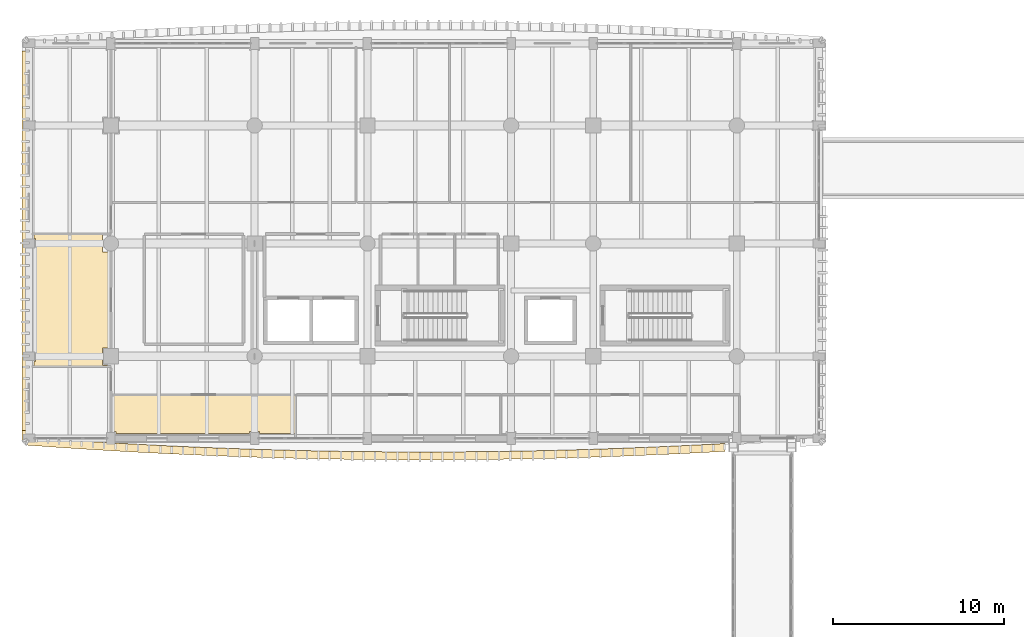
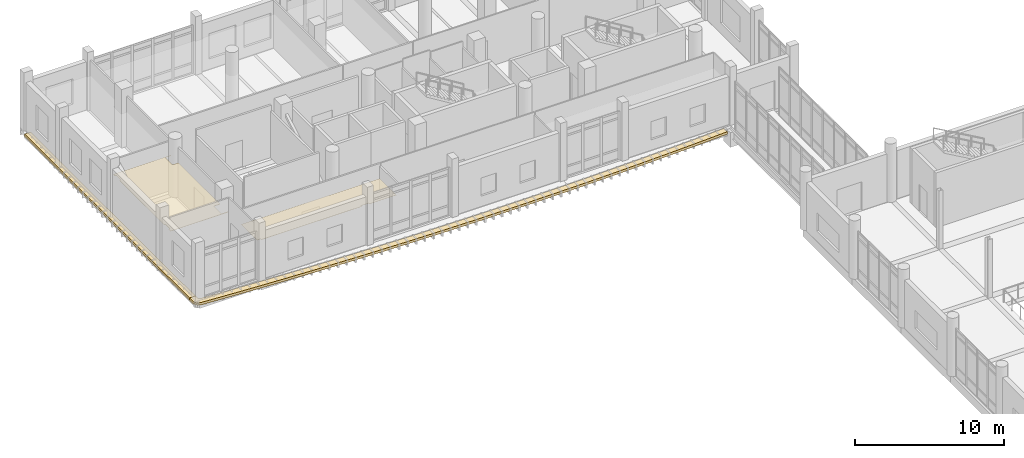
# One storey, part 85 of 101: 4 coverings.
"""IFC4 building model written with IfcOpenShell, lengths in metres."""

from ifc_helpers import new_model, si_unit, direction, frame, origin, place, context, subcontext, project, spatial, polyline, outline, extrude, material, layer, layer_set, type_object, element, save


model = new_model("IFC4")

# Units and contexts
model_context = context("Model", 3, precision=1e-05, world=origin(), true_north=direction((0.0, 1.0)))
body_context = subcontext(model_context, "Body", "Model", "MODEL_VIEW")
ifc_project = project(units=[si_unit("LENGTHUNIT", "METRE"), si_unit("AREAUNIT", "SQUARE_METRE"), si_unit("VOLUMEUNIT", "CUBIC_METRE"), si_unit("PLANEANGLEUNIT", "RADIAN"), si_unit("MASSUNIT", "GRAM", prefix="KILO")], contexts=[model_context])

# Site, building, storey
site_placement = place(None, origin())
site = spatial("IfcSite", under=ifc_project, at=site_placement, CompositionType="ELEMENT")
building_placement = place(site_placement, origin())
building = spatial("IfcBuilding", under=site, at=building_placement, Name="Dornvale Research Institute", CompositionType="ELEMENT")
storey_placement = place(building_placement, frame((0.0, 0.0, 10.199951171875)))
storey = spatial("IfcBuildingStorey", under=building, at=storey_placement, Name="L02", CompositionType="ELEMENT", Elevation=10.199951171875)

# Coverings
ifc_material_1 = material(Name="Mineral-Fibre Acoustic Lay-In Ceiling Tile System")
ifc_layer_1 = layer(ifc_material_1, 0.02001953125)
ifc_layer_set_1 = layer_set([ifc_layer_1], Name="Mineral-Fibre Acoustic Lay-In Ceiling Tile System")
covering_type_1 = type_object("IfcCoveringType", Name="Covering_Acoustic_Ceiling", PredefinedType="CEILING", material=ifc_layer_set_1)
covering_1_placement = place(storey_placement, frame((0.0, 0.0, 2.85009765625)))
element("IfcCovering", 1, at=covering_1_placement, inside=storey, type_object=covering_type_1, Name="L02 Optical Storage Calibration Room L02 suspended ceiling", PredefinedType="CEILING", context=body_context, shape_type="SweptSolid", body=[
    extrude(outline(polyline([(0.300048828125, 104.10009765625), (0.300048828125, 110.10009765625), (0.39990234375, 110.10009765625), (0.39990234375, 110.699951171875), (0.300048828125, 110.699951171875), (0.300048828125, 110.929931640625), (4.780029296875, 110.929931640625), (4.780029296875, 110.89990234375), (4.300048828125, 110.89990234375), (4.300048828125, 109.89990234375), (4.780029296875, 109.89990234375), (4.780029296875, 104.300048828125), (4.300048828125, 104.300048828125), (4.300048828125, 103.300048828125), (4.780029296875, 103.300048828125), (4.780029296875, 103.219970703125), (0.300048828125, 103.219970703125), (0.300048828125, 103.5), (0.39990234375, 103.5), (0.39990234375, 104.10009765625), (0.300048828125, 104.10009765625)])), origin(), (0.0, 0.0, 1.0), 0.02001953125),
])
covering_2_placement = place(storey_placement, frame((0.0, 0.0, 2.85009765625)))
element("IfcCovering", 2, at=covering_2_placement, inside=storey, type_object=covering_type_1, Name="L02 Biostatistics Dry Laboratory suspended ceiling", PredefinedType="CEILING", context=body_context, shape_type="SweptSolid", body=[
    extrude(outline(polyline([(5.10009765625, 99.300048828125), (5.10009765625, 99.39990234375), (4.820068359375, 99.39990234375), (4.820068359375, 101.530029296875), (15.580078125, 101.530029296875), (15.580078125, 99.300048828125), (13.5, 99.300048828125), (13.5, 99.39990234375), (12.89990234375, 99.39990234375), (12.89990234375, 99.300048828125), (5.10009765625, 99.300048828125)])), origin(), (0.0, 0.0, 1.0), 0.02001953125),
])
ifc_material_2 = material(Name="Polychrome Glazed Terracotta Visor Rib Ceramic", Category="masonry")
ifc_layer_2 = layer(ifc_material_2, 0.199951171875)
ifc_layer_set_2 = layer_set([ifc_layer_2], Name="Polychrome Glazed Terracotta Visor Rib Ceramic")
covering_type_2 = type_object("IfcCoveringType", Name="Covering_VisorBrim_Shelf", PredefinedType="CLADDING", material=ifc_layer_set_2)
covering_3_placement = place(storey_placement, frame((0.0, 0.0, -0.280029296875)))
element("IfcCovering", 3, at=covering_3_placement, inside=storey, type_object=covering_type_2, Name="L02 V5 canted bowed-brim visor hood #7", PredefinedType="CLADDING", context=body_context, shape_type="SweptSolid", body=[
    extrude(outline(polyline([(0.06005859375, 99.055908203125), (1.654052734375, 98.94287109375), (3.3037109375, 98.83447265625), (4.95361328125, 98.734619140625), (6.60302734375, 98.6435546875), (8.252685546875, 98.561279296875), (9.902587890625, 98.487548828125), (11.55224609375, 98.422607421875), (13.201904296875, 98.3662109375), (14.8515625, 98.318359375), (16.501220703125, 98.279296875), (18.15087890625, 98.2490234375), (19.800537109375, 98.227294921875), (21.4501953125, 98.21435546875), (23.10009765625, 98.2099609375), (24.749755859375, 98.21435546875), (26.3994140625, 98.227294921875), (28.049072265625, 98.2490234375), (29.69873046875, 98.279296875), (31.348388671875, 98.318359375), (32.998046875, 98.3662109375), (34.647705078125, 98.422607421875), (36.297607421875, 98.487548828125), (37.947265625, 98.561279296875), (39.596923828125, 98.6435546875), (40.699951171875, 98.70458984375), (40.699951171875, 98.240478515625), (39.622314453125, 98.18115234375), (39.6201171875, 98.180908203125), (37.97021484375, 98.0986328125), (37.968017578125, 98.098388671875), (36.318115234375, 98.02490234375), (36.31591796875, 98.024658203125), (34.666015625, 97.959716796875), (34.663818359375, 97.95947265625), (33.013916015625, 97.903076171875), (33.01171875, 97.903076171875), (31.36181640625, 97.85546875), (31.359619140625, 97.855224609375), (29.70947265625, 97.81640625), (29.70751953125, 97.81640625), (28.057373046875, 97.785888671875), (28.055419921875, 97.785888671875), (26.4052734375, 97.76416015625), (26.4033203125, 97.76416015625), (24.753173828125, 97.751220703125), (24.751220703125, 97.751220703125), (23.10107421875, 97.746826171875), (23.098876953125, 97.746826171875), (21.448974609375, 97.751220703125), (21.44677734375, 97.751220703125), (19.796875, 97.76416015625), (19.794677734375, 97.76416015625), (18.144775390625, 97.785888671875), (18.142578125, 97.785888671875), (16.49267578125, 97.81640625), (16.490478515625, 97.81640625), (14.840576171875, 97.855224609375), (14.83837890625, 97.85546875), (13.188232421875, 97.903076171875), (13.186279296875, 97.903076171875), (11.5361328125, 97.95947265625), (11.5341796875, 97.959716796875), (9.884033203125, 98.024658203125), (9.882080078125, 98.02490234375), (8.23193359375, 98.098388671875), (8.22998046875, 98.0986328125), (6.579833984375, 98.180908203125), (6.577880859375, 98.18115234375), (4.927734375, 98.272216796875), (4.92578125, 98.272216796875), (3.275634765625, 98.3720703125), (3.273681640625, 98.372314453125), (1.62353515625, 98.480712890625), (1.62158203125, 98.480712890625), (-0.028564453125, 98.597900390625), (-0.173828125, 98.63623046875), (-0.294921875, 98.72509765625), (-0.375244140625, 98.852294921875), (-0.4033203125, 99.0), (-0.4033203125, 99.449951171875), (0.06005859375, 99.449951171875), (0.06005859375, 99.055908203125)])), origin(), (0.0, 0.0, 1.0), 0.2001953125),
])
covering_4_placement = place(storey_placement, frame((0.0, 0.0, -0.280029296875)))
element("IfcCovering", 4, at=covering_4_placement, inside=storey, type_object=covering_type_2, Name="L02 V5 canted bowed-brim visor hood #10", PredefinedType="CLADDING", context=body_context, shape_type="SweptSolid", body=[
    extrude(outline(polyline([(0.06005859375, 99.449951171875), (-0.4033203125, 99.449951171875), (-0.4033203125, 121.64990234375), (0.06005859375, 121.64990234375), (0.06005859375, 99.449951171875)])), origin(), (0.0, 0.0, 1.0), 0.2001953125),
])

save(model, "model.ifc")
